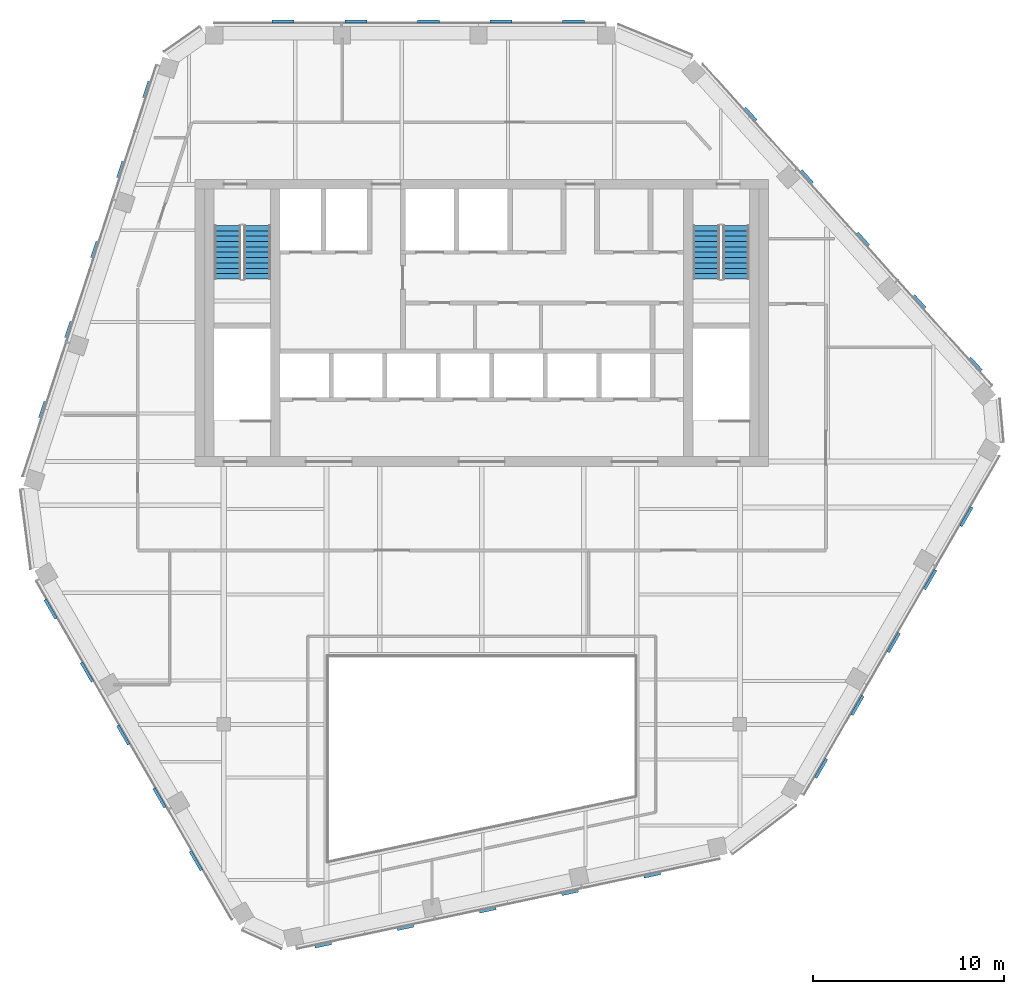
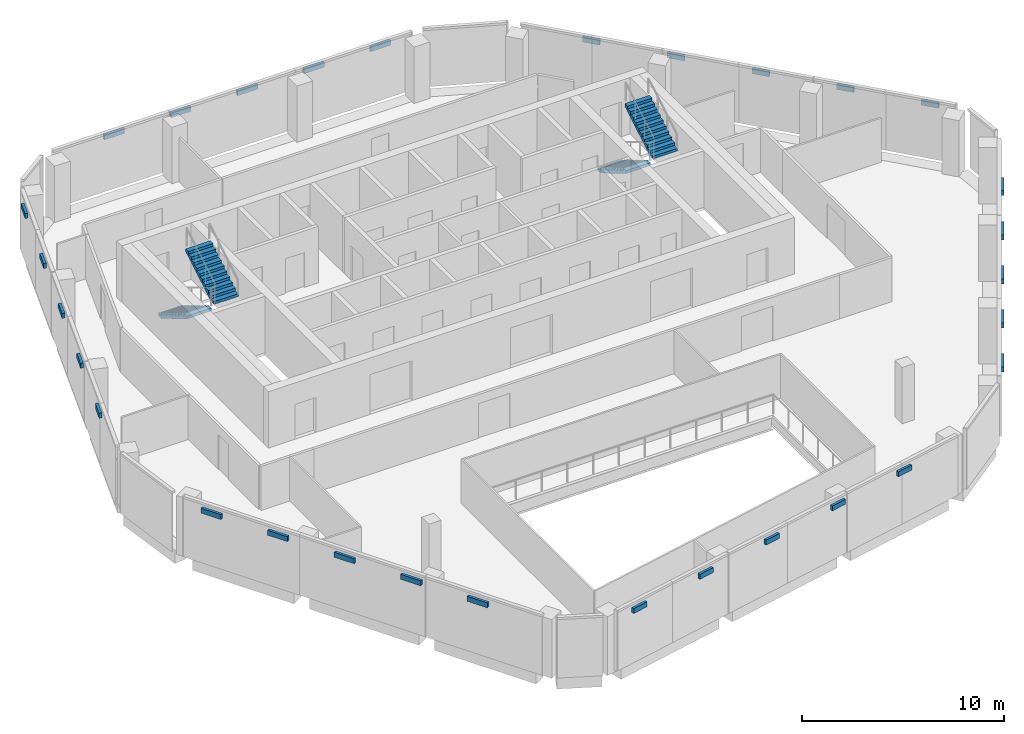
# One storey, part 10 of 13: 30 discrete accessories, 4 stair flights, 2 elements without a shape of their own.
"""IFC4 building model written with IfcOpenShell, lengths in metres."""

from ifc_helpers import new_model, si_unit, direction, frame, origin, origin_2d, place, context, subcontext, project, spatial, polyline, rectangle, outline, extrude, material, type_object, element, aggregate, save


model = new_model("IFC4")

# Units and contexts
model_context = context("Model", 3, precision=1e-05, world=origin(), true_north=direction((0.0, 1.0)))
body_context = subcontext(model_context, "Body", "Model", "MODEL_VIEW")
ifc_project = project(units=[si_unit("LENGTHUNIT", "METRE"), si_unit("AREAUNIT", "SQUARE_METRE"), si_unit("VOLUMEUNIT", "CUBIC_METRE"), si_unit("PLANEANGLEUNIT", "RADIAN"), si_unit("MASSUNIT", "GRAM", prefix="KILO")], contexts=[model_context])

# Site, building, storey
site_placement = place(None, origin())
site = spatial("IfcSite", under=ifc_project, at=site_placement, CompositionType="ELEMENT")
building_placement = place(site_placement, origin())
building = spatial("IfcBuilding", under=site, at=building_placement, Name="Isthmus Gate Tower", CompositionType="ELEMENT")
storey_placement = place(building_placement, frame((0.0, 0.0, 297.449951171875)))
storey = spatial("IfcBuildingStorey", under=building, at=storey_placement, Name="L76", CompositionType="ELEMENT", Elevation=297.449951171875)

# Stair, stair flights
ifc_material_1 = material(Name="Concrete f'c 40 MPa", Category="concrete")
stair_type = type_object("IfcStairType", Name="CORE STAIR 22 RISERS", PredefinedType="HALF_TURN_STAIR", material=ifc_material_1)
stair_1_placement = place(storey_placement, origin())
stair_1 = element("IfcStair", 1, at=stair_1_placement, inside=storey, type_object=stair_type, Name="L76 Exit Stair 1", PredefinedType="HALF_TURN_STAIR")
ifc_material_2 = material(Name="Concrete f'c 40 MPa", Category="concrete")
stair_flight_type = type_object("IfcStairFlightType", Name="STAIR FLIGHT RC 1400", PredefinedType="STRAIGHT", material=ifc_material_2)
stair_flight_1_placement = place(storey_placement, frame((-13.300048828125, 12.60009765625, 0.0), z_axis=(0.0, 0.0, 1.0), x_axis=(0.0, -1.0, 0.0)))
stair_flight_1 = element("IfcStairFlight", 2, at=stair_flight_1_placement, type_object=stair_flight_type, Name="ST1 flight 1", NumberOfRisers=11, NumberOfTreads=10, PredefinedType="STRAIGHT", RiserHeight=0.165909091, TreadLength=0.28, context=body_context, shape_type="SweptSolid", body=[
    extrude(outline(polyline([(0.0, 0.0), (0.0, 0.166015625), (0.280029296875, 0.166015625), (0.280029296875, 0.331787109375), (0.56005859375, 0.331787109375), (0.56005859375, 0.497802734375), (0.840087890625, 0.497802734375), (0.840087890625, 0.66357421875), (1.1201171875, 0.66357421875), (1.1201171875, 0.82958984375), (1.39990234375, 0.82958984375), (1.39990234375, 0.995361328125), (1.679931640625, 0.995361328125), (1.679931640625, 1.161376953125), (1.9599609375, 1.161376953125), (1.9599609375, 1.327392578125), (2.239990234375, 1.327392578125), (2.239990234375, 1.4931640625), (2.52001953125, 1.4931640625), (2.52001953125, 1.6591796875), (2.800048828125, 1.6591796875), (2.800048828125, 1.824951171875), (2.800048828125, 1.48486328125), (0.2939453125, 0.0), (0.0, 0.0)])), frame((0.0, 0.699951171875, 0.0), z_axis=(0.0, -1.0, 0.0), x_axis=(1.0, 0.0, 0.0)), (0.0, 0.0, 1.0), 1.39990234375),
])
stair_flight_2_placement = place(storey_placement, frame((-11.75, 9.800048828125, 1.824951171875), z_axis=(0.0, 0.0, 1.0), x_axis=(0.0, 1.0, 0.0)))
stair_flight_2 = element("IfcStairFlight", 3, at=stair_flight_2_placement, type_object=stair_flight_type, Name="ST1 flight 2", NumberOfRisers=11, NumberOfTreads=10, PredefinedType="STRAIGHT", RiserHeight=0.165909091, TreadLength=0.28, context=body_context, shape_type="SweptSolid", body=[
    extrude(outline(polyline([(0.0, 0.0), (0.0, 0.166015625), (0.280029296875, 0.166015625), (0.280029296875, 0.331787109375), (0.56005859375, 0.331787109375), (0.56005859375, 0.497802734375), (0.840087890625, 0.497802734375), (0.840087890625, 0.66357421875), (1.1201171875, 0.66357421875), (1.1201171875, 0.82958984375), (1.39990234375, 0.82958984375), (1.39990234375, 0.995361328125), (1.679931640625, 0.995361328125), (1.679931640625, 1.161376953125), (1.9599609375, 1.161376953125), (1.9599609375, 1.327392578125), (2.239990234375, 1.327392578125), (2.239990234375, 1.4931640625), (2.52001953125, 1.4931640625), (2.52001953125, 1.6591796875), (2.800048828125, 1.6591796875), (2.800048828125, 1.824951171875), (2.800048828125, 1.48486328125), (0.2939453125, 0.0), (0.0, 0.0)])), frame((0.0, 0.699951171875, 0.0), z_axis=(0.0, -1.0, 0.0), x_axis=(1.0, 0.0, 0.0)), (0.0, 0.0, 1.0), 1.39990234375),
])
aggregate(stair_1, [stair_flight_1, stair_flight_2])

stair_2_placement = place(storey_placement, origin())
stair_2 = element("IfcStair", 4, at=stair_2_placement, inside=storey, type_object=stair_type, Name="L76 Exit Stair 2", PredefinedType="HALF_TURN_STAIR")
stair_flight_3_placement = place(storey_placement, frame((11.75, 12.60009765625, 0.0), z_axis=(0.0, 0.0, 1.0), x_axis=(0.0, -1.0, 0.0)))
stair_flight_3 = element("IfcStairFlight", 5, at=stair_flight_3_placement, type_object=stair_flight_type, Name="ST2 flight 1", NumberOfRisers=11, NumberOfTreads=10, PredefinedType="STRAIGHT", RiserHeight=0.165909091, TreadLength=0.28, context=body_context, shape_type="SweptSolid", body=[
    extrude(outline(polyline([(0.0, 0.0), (0.0, 0.166015625), (0.280029296875, 0.166015625), (0.280029296875, 0.331787109375), (0.56005859375, 0.331787109375), (0.56005859375, 0.497802734375), (0.840087890625, 0.497802734375), (0.840087890625, 0.66357421875), (1.1201171875, 0.66357421875), (1.1201171875, 0.82958984375), (1.39990234375, 0.82958984375), (1.39990234375, 0.995361328125), (1.679931640625, 0.995361328125), (1.679931640625, 1.161376953125), (1.9599609375, 1.161376953125), (1.9599609375, 1.327392578125), (2.239990234375, 1.327392578125), (2.239990234375, 1.4931640625), (2.52001953125, 1.4931640625), (2.52001953125, 1.6591796875), (2.800048828125, 1.6591796875), (2.800048828125, 1.824951171875), (2.800048828125, 1.48486328125), (0.2939453125, 0.0), (0.0, 0.0)])), frame((0.0, 0.699951171875, 0.0), z_axis=(0.0, -1.0, 0.0), x_axis=(1.0, 0.0, 0.0)), (0.0, 0.0, 1.0), 1.39990234375),
])
stair_flight_4_placement = place(storey_placement, frame((13.300048828125, 9.800048828125, 1.824951171875), z_axis=(0.0, 0.0, 1.0), x_axis=(0.0, 1.0, 0.0)))
stair_flight_4 = element("IfcStairFlight", 6, at=stair_flight_4_placement, type_object=stair_flight_type, Name="ST2 flight 2", NumberOfRisers=11, NumberOfTreads=10, PredefinedType="STRAIGHT", RiserHeight=0.165909091, TreadLength=0.28, context=body_context, shape_type="SweptSolid", body=[
    extrude(outline(polyline([(0.0, 0.0), (0.0, 0.166015625), (0.280029296875, 0.166015625), (0.280029296875, 0.331787109375), (0.56005859375, 0.331787109375), (0.56005859375, 0.497802734375), (0.840087890625, 0.497802734375), (0.840087890625, 0.66357421875), (1.1201171875, 0.66357421875), (1.1201171875, 0.82958984375), (1.39990234375, 0.82958984375), (1.39990234375, 0.995361328125), (1.679931640625, 0.995361328125), (1.679931640625, 1.161376953125), (1.9599609375, 1.161376953125), (1.9599609375, 1.327392578125), (2.239990234375, 1.327392578125), (2.239990234375, 1.4931640625), (2.52001953125, 1.4931640625), (2.52001953125, 1.6591796875), (2.800048828125, 1.6591796875), (2.800048828125, 1.824951171875), (2.800048828125, 1.48486328125), (0.2939453125, 0.0), (0.0, 0.0)])), frame((0.0, 0.699951171875, 0.0), z_axis=(0.0, -1.0, 0.0), x_axis=(1.0, 0.0, 0.0)), (0.0, 0.0, 1.0), 1.39990234375),
])
aggregate(stair_2, [stair_flight_3, stair_flight_4])

# Discrete accessories
ifc_material_3 = material(Name="Structural steel ASTM A572 Gr 50, white paint system", Category="steel")
discrete_accessory_type_1 = type_object("IfcDiscreteAccessoryType", Name="FIN BRACKET 1155 X 150 X 300", PredefinedType="BRACKET", material=ifc_material_3)
for number, where, z_axis, x_axis, name in (
    (7, (4.8076171875, 23.27490234375, 3.10009765625), (0.0, 0.0, 1.0), (0.0, 1.0, 0.0), "FIN BRACKET"),
    (8, (1.007568359375, 23.27490234375, 3.10009765625), (0.0, 0.0, 1.0), (0.0, 1.0, 0.0), "FIN BRACKET"),
    (9, (-2.792236328125, 23.27490234375, 3.10009765625), (0.0, 0.0, 1.0), (0.0, 1.0, 0.0), "FIN BRACKET"),
    (10, (-6.59228515625, 23.27490234375, 3.10009765625), (0.0, 0.0, 1.0), (0.0, 1.0, 0.0), "FIN BRACKET"),
    (11, (-10.392333984375, 23.27490234375, 3.10009765625), (0.0, 0.0, 1.0), (0.0, 1.0, 0.0), "FIN BRACKET"),
    (12, (-22.560546875, -7.473876953125, 3.10009765625), (0.0, 0.0, 1.0), (-0.866025403784, -0.5, 0.0), "FIN BRACKET"),
    (13, (-20.66064453125, -10.764892578125, 3.10009765625), (0.0, 0.0, 1.0), (-0.866025403784, -0.5, 0.0), "FIN BRACKET"),
    (14, (-18.760498046875, -14.0556640625, 3.10009765625), (0.0, 0.0, 1.0), (-0.866025403784, -0.5, 0.0), "FIN BRACKET"),
    (15, (-16.860595703125, -17.3466796875, 3.10009765625), (0.0, 0.0, 1.0), (-0.866025403784, -0.5, 0.0), "FIN BRACKET"),
    (16, (-14.96044921875, -20.637451171875, 3.10009765625), (0.0, 0.0, 1.0), (-0.866025403784, -0.5, 0.0), "FIN BRACKET"),
    (17, (17.7529296875, -15.801025390625, 3.10009765625), (0.0, 0.0, 1.0), (0.866025403784, -0.5, 0.0), "FIN BRACKET"),
    (18, (19.65283203125, -12.51025390625, 3.10009765625), (0.0, 0.0, 1.0), (0.866025403784, -0.5, 0.0), "FIN BRACKET"),
    (19, (21.552978515625, -9.21923828125, 3.10009765625), (0.0, 0.0, 1.0), (0.866025403784, -0.5, 0.0), "FIN BRACKET"),
    (20, (23.452880859375, -5.928466796875, 3.10009765625), (0.0, 0.0, 1.0), (0.866025403784, -0.5, 0.0), "FIN BRACKET"),
    (21, (25.35302734375, -2.637451171875, 3.10009765625), (0.0, 0.0, 1.0), (0.866025403784, -0.5, 0.0), "FIN BRACKET"),
):
    element("IfcDiscreteAccessory", number, at=place(storey_placement, frame(where, z_axis=z_axis, x_axis=x_axis)), inside=storey, type_object=discrete_accessory_type_1, Name=name, PredefinedType="BRACKET", context=body_context, shape_type="SweptSolid", body=[
        extrude(rectangle(XDim=0.14990234375, YDim=1.15478515625, at=origin_2d()), origin(), (0.0, 0.0, 1.0), 0.300048828125),
    ])
ifc_material_4 = material(Name="Structural steel ASTM A572 Gr 50, white paint system", Category="steel")
discrete_accessory_type_2 = type_object("IfcDiscreteAccessoryType", Name="FIN BRACKET 890 X 150 X 300", PredefinedType="BRACKET", material=ifc_material_4)
for number, where, z_axis, x_axis, name in (
    (22, (-17.541015625, 19.70703125, 3.10009765625), (0.0, 0.0, 1.0), (-0.951056516295, 0.309016994375, 0.0), "FIN BRACKET"),
    (23, (-18.90087890625, 15.522216796875, 3.10009765625), (0.0, 0.0, 1.0), (-0.951056516295, 0.309016994375, 0.0), "FIN BRACKET"),
    (24, (-20.260498046875, 11.337646484375, 3.10009765625), (0.0, 0.0, 1.0), (-0.951056516295, 0.309016994375, 0.0), "FIN BRACKET"),
    (25, (-21.6201171875, 7.153076171875, 3.10009765625), (0.0, 0.0, 1.0), (-0.951056516295, 0.309016994375, 0.0), "FIN BRACKET"),
    (26, (-22.979736328125, 2.96826171875, 3.10009765625), (0.0, 0.0, 1.0), (-0.951056516295, 0.309016994375, 0.0), "FIN BRACKET"),
    (27, (-8.296142578125, -25.04443359375, 3.10009765625), (0.0, 0.0, 1.0), (0.207911690818, -0.978147600734, 0.0), "FIN BRACKET"),
    (28, (-3.992431640625, -24.129638671875, 3.10009765625), (0.0, 0.0, 1.0), (0.207911690818, -0.978147600734, 0.0), "FIN BRACKET"),
    (29, (0.3115234375, -23.21484375, 3.10009765625), (0.0, 0.0, 1.0), (0.207911690818, -0.978147600734, 0.0), "FIN BRACKET"),
    (30, (4.615478515625, -22.300048828125, 3.10009765625), (0.0, 0.0, 1.0), (0.207911690818, -0.978147600734, 0.0), "FIN BRACKET"),
    (31, (8.919189453125, -21.38525390625, 3.10009765625), (0.0, 0.0, 1.0), (0.207911690818, -0.978147600734, 0.0), "FIN BRACKET"),
    (32, (25.83740234375, 5.337646484375, 3.10009765625), (0.0, 0.0, 1.0), (0.743144825477, 0.669130606359, 0.0), "FIN BRACKET"),
    (33, (22.89306640625, 8.607421875, 3.10009765625), (0.0, 0.0, 1.0), (0.743144825477, 0.669130606359, 0.0), "FIN BRACKET"),
    (34, (19.948974609375, 11.877197265625, 3.10009765625), (0.0, 0.0, 1.0), (0.743144825477, 0.669130606359, 0.0), "FIN BRACKET"),
    (35, (17.0048828125, 15.14697265625, 3.10009765625), (0.0, 0.0, 1.0), (0.743144825477, 0.669130606359, 0.0), "FIN BRACKET"),
    (36, (14.060546875, 18.4169921875, 3.10009765625), (0.0, 0.0, 1.0), (0.743144825477, 0.669130606359, 0.0), "FIN BRACKET"),
):
    element("IfcDiscreteAccessory", number, at=place(storey_placement, frame(where, z_axis=z_axis, x_axis=x_axis)), inside=storey, type_object=discrete_accessory_type_2, Name=name, PredefinedType="BRACKET", context=body_context, shape_type="SweptSolid", body=[
        extrude(rectangle(XDim=0.14990234375, YDim=0.890380859375, at=origin_2d()), origin(), (0.0, 0.0, 1.0), 0.300048828125),
    ])

save(model, "model.ifc")
